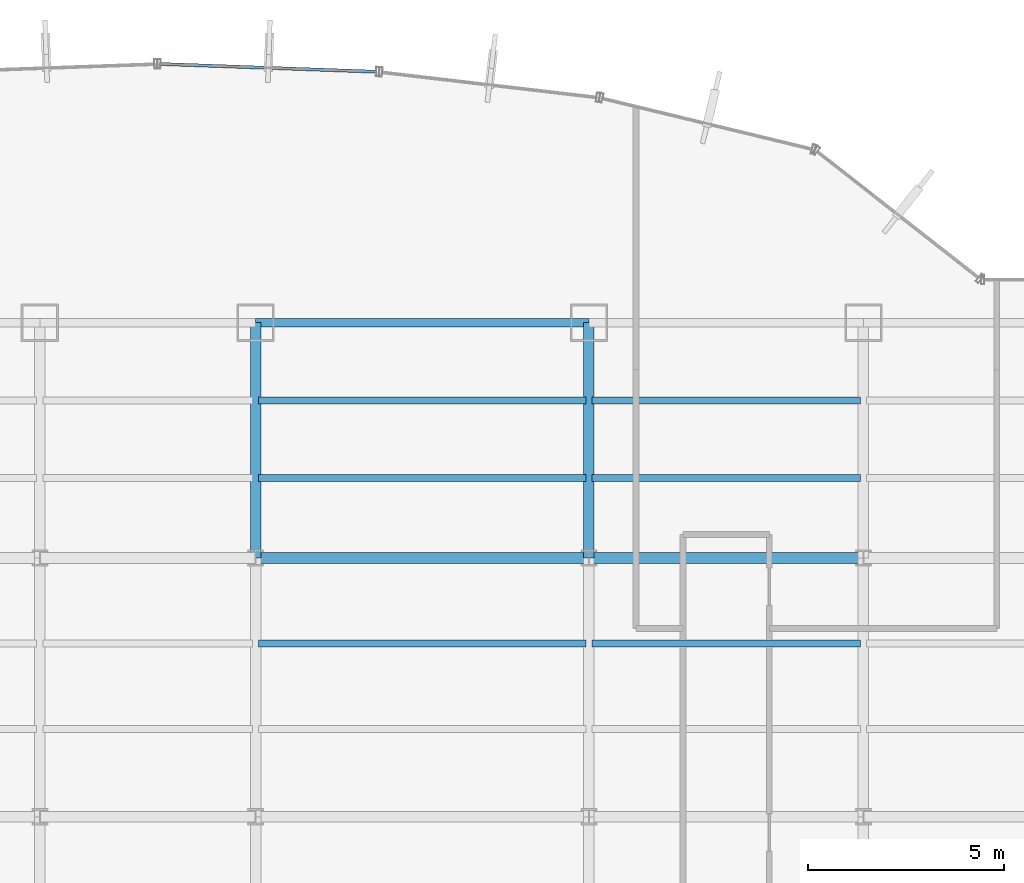
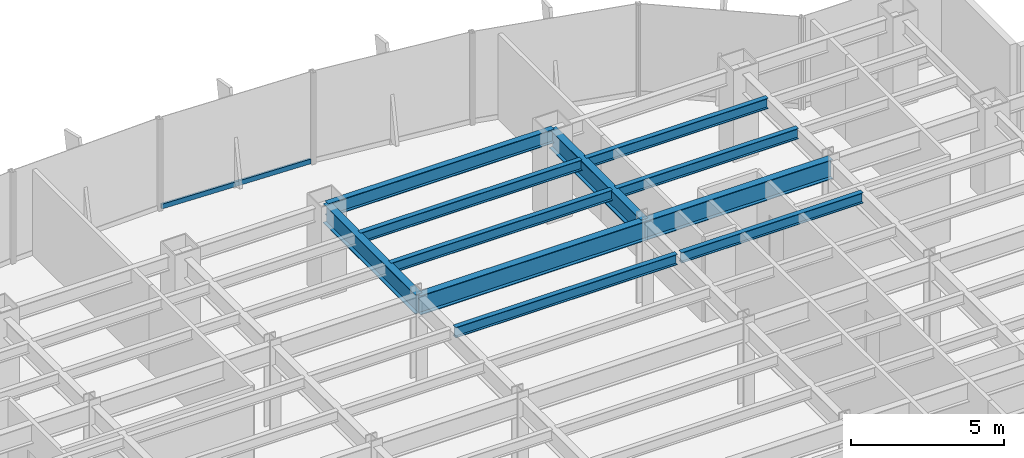
# One storey, part 13 of 22: 11 beams, 1 member, 1 element without a shape of its own.
"""IFC4 building model written with IfcOpenShell, lengths in metres."""

from ifc_helpers import new_model, si_unit, derived_unit, direction, frame, origin, origin_2d, place, context, subcontext, project, spatial, hollow_rectangle, i_section, extrude, source, transform, mapped, material, material_profile, profile_set, type_object, element, aggregate, save


model = new_model("IFC4")

# Units and contexts
model_context = context("Model", 3, precision=1e-05, world=origin(), true_north=direction((0.0, 1.0)))
body_context = subcontext(model_context, "Body", "Model", "MODEL_VIEW")
ifc_project = project(units=[si_unit("LENGTHUNIT", "METRE"), si_unit("AREAUNIT", "SQUARE_METRE"), si_unit("VOLUMEUNIT", "CUBIC_METRE"), si_unit("PLANEANGLEUNIT", "RADIAN"), si_unit("MASSUNIT", "GRAM", prefix="KILO"), derived_unit("THERMALTRANSMITTANCEUNIT", [(si_unit("POWERUNIT", "WATT"), 1), (si_unit("LENGTHUNIT", "METRE"), -2), (si_unit("THERMODYNAMICTEMPERATUREUNIT", "KELVIN"), -1)])], contexts=[model_context])

# Site, building, storey
site_placement = place(None, origin())
site = spatial("IfcSite", under=ifc_project, at=site_placement, CompositionType="ELEMENT")
building_placement = place(site_placement, origin())
building = spatial("IfcBuilding", under=site, at=building_placement, Name="Skarnbrae Concourse Arena and Tower", CompositionType="ELEMENT")
storey_placement = place(building_placement, frame((0.0, 0.0, 76.300048828125)))
storey = spatial("IfcBuildingStorey", under=building, at=storey_placement, Name="L18", CompositionType="ELEMENT", Elevation=76.300048828125)

# Beams
ifc_material_1 = material(Name="Steel CSA G40.21 350W", Category="steel")
ifc_material_profile_1 = material_profile(ifc_material_1, i_section(OverallWidth=0.26806640625, OverallDepth=0.77001953125, WebThickness=0.015625, FlangeThickness=0.025390625, at=origin_2d()), Name="W760X196")
ifc_profile_set_1 = profile_set([ifc_material_profile_1], Name="Steel CSA G40.21 350W")
beam_type_1 = type_object("IfcBeamType", Name="BM-GIRD-W760X196", PredefinedType="BEAM", material=ifc_profile_set_1)
shared_shape_1 = source(origin(), body_context, "Body", "SweptSolid", [
    extrude(i_section(OverallWidth=0.26806640625, OverallDepth=0.77001953125, WebThickness=0.015625, FlangeThickness=0.025390625, at=origin_2d()), origin(), (0.0, 0.0, 1.0), 7.0),
])
beam_1_placement = place(storey_placement, frame((42.0, 34.39990234375, 3.014892578125), z_axis=(1.0, 0.0, 0.0), x_axis=(0.0, 1.0, 0.0)))
element("IfcBeam", 1, at=beam_1_placement, inside=storey, type_object=beam_type_1, Name="L18 Primary E-W girder Y34.4-7", PredefinedType="BEAM", context=body_context, shape_type="MappedRepresentation", body=[
    mapped(shared_shape_1, transform((0.0, 0.0, 0.0))),
])
shared_shape_2 = source(origin(), body_context, "Body", "SweptSolid", [
    extrude(i_section(OverallWidth=0.26806640625, OverallDepth=0.77001953125, WebThickness=0.015625, FlangeThickness=0.025390625, at=origin_2d()), origin(), (0.0, 0.0, 1.0), 8.5),
])
beam_2_placement = place(storey_placement, frame((33.5, 34.39990234375, 3.014892578125), z_axis=(1.0, 0.0, 0.0), x_axis=(0.0, 1.0, 0.0)))
element("IfcBeam", 2, at=beam_2_placement, inside=storey, type_object=beam_type_1, Name="L18 Primary E-W girder Y34.4-6", PredefinedType="BEAM", context=body_context, shape_type="MappedRepresentation", body=[
    mapped(shared_shape_2, transform((0.0, 0.0, 0.0))),
])
shared_shape_3 = source(origin(), body_context, "Body", "SweptSolid", [
    extrude(i_section(OverallWidth=0.26806640625, OverallDepth=0.77001953125, WebThickness=0.015625, FlangeThickness=0.025390625, at=origin_2d()), origin(), (0.0, 0.0, 1.0), 6.0),
])
for number, where, z_axis, x_axis, name in (
    (3, (33.5, 34.39990234375, 3.014892578125), (0.0, 1.0, 0.0), (-1.0, 0.0, 0.0), "L18 Primary N-S girder X33.5-4"),
    (4, (42.0, 34.39990234375, 3.014892578125), (0.0, 1.0, 0.0), (-1.0, 0.0, 0.0), "L18 Primary N-S girder X42.0-5"),
):
    element("IfcBeam", number, at=place(storey_placement, frame(where, z_axis=z_axis, x_axis=x_axis)), inside=storey, type_object=beam_type_1, Name=name, PredefinedType="BEAM", context=body_context, shape_type="MappedRepresentation", body=[
        mapped(shared_shape_3, transform((0.0, 0.0, 0.0))),
    ])
ifc_material_profile_2 = material_profile(ifc_material_1, i_section(OverallWidth=0.214111328125, OverallDepth=0.549072265625, WebThickness=0.0146484375, FlangeThickness=0.023681640625, at=origin_2d()), Name="W530X138")
ifc_profile_set_2 = profile_set([ifc_material_profile_2], Name="Steel CSA G40.21 350W")
beam_type_2 = type_object("IfcBeamType", Name="BM-SPAN-W530X138", PredefinedType="SPANDREL", material=ifc_profile_set_2)
shared_shape_4 = source(origin(), body_context, "Body", "SweptSolid", [
    extrude(i_section(OverallWidth=0.214111328125, OverallDepth=0.549072265625, WebThickness=0.0146484375, FlangeThickness=0.023681640625, at=origin_2d()), origin(), (0.0, 0.0, 1.0), 8.5),
])
beam_3_placement = place(storey_placement, frame((33.5, 40.39990234375, 3.12548828125), z_axis=(1.0, 0.0, 0.0), x_axis=(0.0, 1.0, 0.0)))
element("IfcBeam", 5, at=beam_3_placement, inside=storey, type_object=beam_type_2, Name="L18 Perimeter spandrel Y40.4-5", PredefinedType="SPANDREL", context=body_context, shape_type="MappedRepresentation", body=[
    mapped(shared_shape_4, transform((0.0, 0.0, 0.0))),
])
ifc_material_profile_3 = material_profile(ifc_material_1, i_section(OverallWidth=0.180908203125, OverallDepth=0.4169921875, WebThickness=0.010986328125, FlangeThickness=0.018310546875, at=origin_2d()), Name="W410X85")
ifc_profile_set_3 = profile_set([ifc_material_profile_3], Name="Steel CSA G40.21 350W")
beam_type_3 = type_object("IfcBeamType", Name="BM-JOIST-W410X85", PredefinedType="JOIST", material=ifc_profile_set_3)
shared_shape_5 = source(origin(), body_context, "Body", "SweptSolid", [
    extrude(i_section(OverallWidth=0.180908203125, OverallDepth=0.4169921875, WebThickness=0.010986328125, FlangeThickness=0.018310546875, at=origin_2d()), origin(), (0.0, 0.0, 1.0), 8.33984375),
])
for number, where, z_axis, x_axis, name in (
    (6, (33.580078125, 32.221923828125, 3.19140625), (1.0, 0.0, 0.0), (0.0, 1.0, 0.0), "L18 Secondary floor joist 3.2.6"),
    (7, (33.580078125, 36.43994140625, 3.19140625), (1.0, 0.0, 0.0), (0.0, 1.0, 0.0), "L18 Secondary floor joist 4.1.5"),
    (8, (33.580078125, 38.419921875, 3.19140625), (1.0, 0.0, 0.0), (0.0, 1.0, 0.0), "L18 Secondary floor joist 4.2.5"),
):
    element("IfcBeam", number, at=place(storey_placement, frame(where, z_axis=z_axis, x_axis=x_axis)), inside=storey, type_object=beam_type_3, Name=name, PredefinedType="JOIST", context=body_context, shape_type="MappedRepresentation", body=[
        mapped(shared_shape_5, transform((0.0, 0.0, 0.0))),
    ])
shared_shape_6 = source(origin(), body_context, "Body", "SweptSolid", [
    extrude(i_section(OverallWidth=0.180908203125, OverallDepth=0.4169921875, WebThickness=0.010986328125, FlangeThickness=0.018310546875, at=origin_2d()), origin(), (0.0, 0.0, 1.0), 6.83984375),
])
for number, where, z_axis, x_axis, name in (
    (9, (42.080078125, 32.221923828125, 3.19140625), (1.0, 0.0, 0.0), (0.0, 1.0, 0.0), "L18 Secondary floor joist 3.2.7"),
    (10, (42.080078125, 36.43994140625, 3.19140625), (1.0, 0.0, 0.0), (0.0, 1.0, 0.0), "L18 Secondary floor joist 4.1.6"),
    (11, (42.080078125, 38.419921875, 3.19140625), (1.0, 0.0, 0.0), (0.0, 1.0, 0.0), "L18 Secondary floor joist 4.2.6"),
):
    element("IfcBeam", number, at=place(storey_placement, frame(where, z_axis=z_axis, x_axis=x_axis)), inside=storey, type_object=beam_type_3, Name=name, PredefinedType="JOIST", context=body_context, shape_type="MappedRepresentation", body=[
        mapped(shared_shape_6, transform((0.0, 0.0, 0.0))),
    ])

# Curtain wall, member
ifc_material_2 = material(Name="Bronze anodised aluminium 6063-T6", Category="aluminium")
curtain_wall_type = type_object("IfcCurtainWallType", Name="CW-SYS-02-LOWZONE", PredefinedType="USERDEFINED", material=ifc_material_2)
curtain_wall_placement = place(storey_placement, origin())
curtain_wall = element("IfcCurtainWall", 12, at=curtain_wall_placement, inside=storey, type_object=curtain_wall_type, Name="L18 Unitised curtain wall CW-L18-E11", ObjectType="UNITISED CURTAIN WALL", PredefinedType="USERDEFINED")
ifc_material_profile_4 = material_profile(ifc_material_2, hollow_rectangle(XDim=0.080078125, YDim=0.18994140625, WallThickness=0.0048828125, at=origin_2d()), Name="ALU-TRAN-80X190")
ifc_profile_set_4 = profile_set([ifc_material_profile_4], Name="Bronze anodised aluminium 6063-T6")
member_type = type_object("IfcMemberType", Name="CWT-CW-02", PredefinedType="USERDEFINED", material=ifc_profile_set_4)
shared_shape_7 = source(origin(), body_context, "Body", "SweptSolid", [
    extrude(hollow_rectangle(XDim=0.080078125, YDim=0.18994140625, WallThickness=0.0048828125, at=origin_2d()), origin(), (0.0, 0.0, 1.0), 5.497802734375),
])
member_placement = place(storey_placement, frame((36.573974609375, 46.7998046875, 0.094970703125), z_axis=(-0.999356047798, 0.03588160712, 0.0), x_axis=(-0.03588160712, -0.999356047798, 0.0)))
member = element("IfcMember", 13, at=member_placement, type_object=member_type, Name="CW-L18-E11 Transom 1", ObjectType="TRANSOM", PredefinedType="USERDEFINED", context=body_context, shape_type="MappedRepresentation", body=[
    mapped(shared_shape_7, transform((0.0, 0.0, 0.0))),
])
aggregate(curtain_wall, [member])

save(model, "model.ifc")
